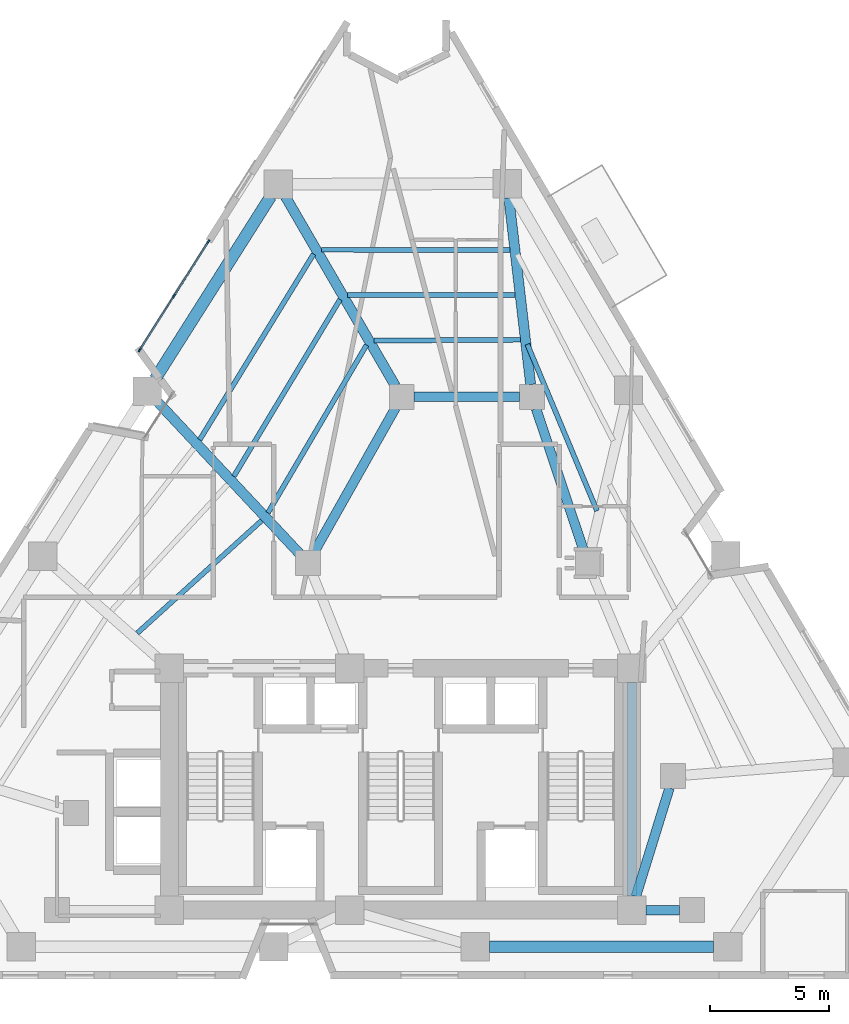
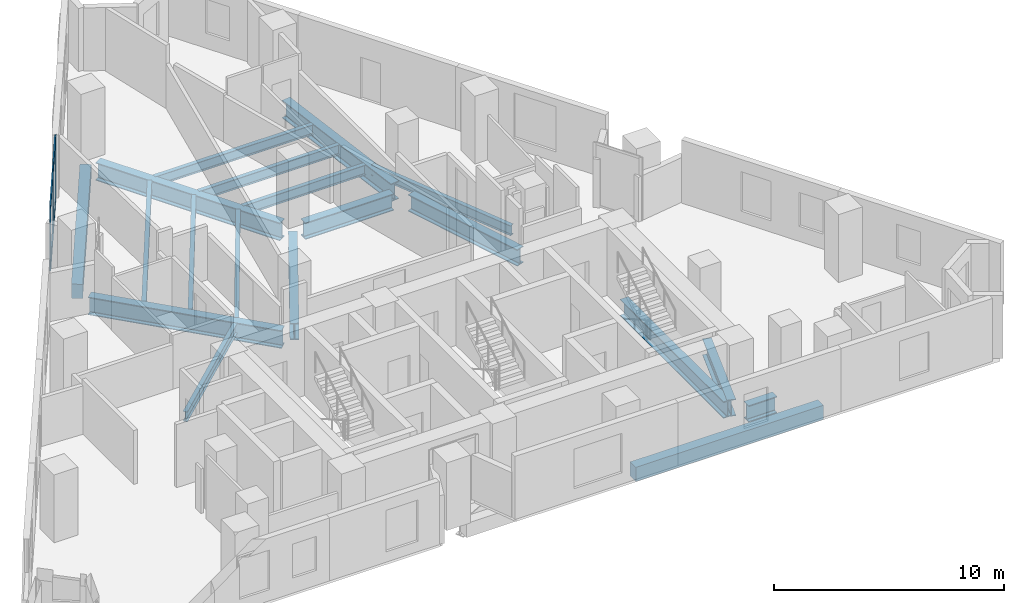
# One storey, part 3 of 11: 19 beams, 7 members, 1 element without a shape of its own.
"""IFC4 building model written with IfcOpenShell, lengths in metres."""

from ifc_helpers import new_model, si_unit, direction, frame, origin, origin_2d, place, context, subcontext, project, spatial, rectangle, i_section, extrude, material, layer, layer_set, material_profile, profile_set, type_object, element, aggregate, save


model = new_model("IFC4")

# Units and contexts
model_context = context("Model", 3, precision=1e-05, world=origin(), true_north=direction((0.0, 1.0)))
body_context = subcontext(model_context, "Body", "Model", "MODEL_VIEW")
ifc_project = project(units=[si_unit("LENGTHUNIT", "METRE"), si_unit("AREAUNIT", "SQUARE_METRE"), si_unit("VOLUMEUNIT", "CUBIC_METRE"), si_unit("PLANEANGLEUNIT", "RADIAN"), si_unit("MASSUNIT", "GRAM", prefix="KILO")], contexts=[model_context])

# Site, building, storey
site_placement = place(None, origin())
site = spatial("IfcSite", under=ifc_project, at=site_placement, CompositionType="ELEMENT")
building_placement = place(site_placement, origin())
building = spatial("IfcBuilding", under=site, at=building_placement, Name="Almagre Mirador Tower", CompositionType="ELEMENT")
storey_placement = place(building_placement, frame((0.0, 0.0, 124.800048828125)))
storey = spatial("IfcBuildingStorey", under=building, at=storey_placement, Name="L31", CompositionType="ELEMENT", Elevation=124.800048828125)

# Beams
ifc_material_1 = material(Name="Steel ASTM A992 Grade 50", Category="steel")
ifc_material_profile_1 = material_profile(ifc_material_1, i_section(OverallWidth=0.208984375, OverallDepth=0.532958984375, WebThickness=0.01025390625, FlangeThickness=0.015625, FilletRadius=0.01806640625, at=origin_2d()), Name="W21X62")
ifc_profile_set_1 = profile_set([ifc_material_profile_1], Name="Steel ASTM A992 Grade 50")
beam_type_1 = type_object("IfcBeamType", Name="BM-JST-W21X62", PredefinedType="JOIST", material=ifc_profile_set_1)
beam_1_placement = place(storey_placement, frame((45.589111328125, 21.390380859375, -0.5166015625), z_axis=(-0.385893914422, 0.922543162574, 0.0), x_axis=(-0.922543162574, -0.385893914422, 0.0)))
element("IfcBeam", 1, at=beam_1_placement, inside=storey, type_object=beam_type_1, Name="L31 secondary floor joist PC07-PC08.3", PredefinedType="JOIST", context=body_context, shape_type="SweptSolid", body=[
    extrude(i_section(OverallWidth=0.208984375, OverallDepth=0.532958984375, WebThickness=0.01025390625, FlangeThickness=0.015625, FilletRadius=0.01806640625, at=origin_2d()), origin(), (0.0, 0.0, 1.0), 7.617919921875),
])
beam_2_placement = place(storey_placement, frame((41.913330078125, 32.397216796875, -0.5166015625), z_axis=(-0.999998960599, 0.001441804747, 0.0), x_axis=(-0.001441804747, -0.999998960599, 0.0)))
element("IfcBeam", 2, at=beam_2_placement, inside=storey, type_object=beam_type_1, Name="L31 secondary floor joist PC08-PC09.1", PredefinedType="JOIST", context=body_context, shape_type="SweptSolid", body=[
    extrude(i_section(OverallWidth=0.208984375, OverallDepth=0.532958984375, WebThickness=0.01025390625, FlangeThickness=0.015625, FilletRadius=0.01806640625, at=origin_2d()), origin(), (0.0, 0.0, 1.0), 7.95849609375),
])
beam_3_placement = place(storey_placement, frame((42.134765625, 30.504638671875, -0.5166015625), z_axis=(-0.99999819421, -0.00190041466, 0.0), x_axis=(0.00190041466, -0.99999819421, 0.0)))
element("IfcBeam", 3, at=beam_3_placement, inside=storey, type_object=beam_type_1, Name="L31 secondary floor joist PC08-PC09.2", PredefinedType="JOIST", context=body_context, shape_type="SweptSolid", body=[
    extrude(i_section(OverallWidth=0.208984375, OverallDepth=0.532958984375, WebThickness=0.01025390625, FlangeThickness=0.015625, FilletRadius=0.01806640625, at=origin_2d()), origin(), (0.0, 0.0, 1.0), 7.065673828125),
])
beam_4_placement = place(storey_placement, frame((42.356201171875, 28.61181640625, -0.5166015625), z_axis=(-0.999980965144, -0.00617003641, 0.0), x_axis=(0.00617003641, -0.999980965144, 0.0)))
element("IfcBeam", 4, at=beam_4_placement, inside=storey, type_object=beam_type_1, Name="L31 secondary floor joist PC08-PC09.3", PredefinedType="JOIST", context=body_context, shape_type="SweptSolid", body=[
    extrude(i_section(OverallWidth=0.208984375, OverallDepth=0.532958984375, WebThickness=0.01025390625, FlangeThickness=0.015625, FilletRadius=0.01806640625, at=origin_2d()), origin(), (0.0, 0.0, 1.0), 6.172607421875),
])
beam_5_placement = place(storey_placement, frame((33.6328125, 32.228759765625, -0.5166015625), z_axis=(-0.522787398252, -0.852463099629, 0.0), x_axis=(0.852463099629, -0.522787398252, 0.0)))
element("IfcBeam", 5, at=beam_5_placement, inside=storey, type_object=beam_type_1, Name="L31 secondary floor joist PC09-PC10.1", PredefinedType="JOIST", context=body_context, shape_type="SweptSolid", body=[
    extrude(i_section(OverallWidth=0.208984375, OverallDepth=0.532958984375, WebThickness=0.01025390625, FlangeThickness=0.015625, FilletRadius=0.01806640625, at=origin_2d()), origin(), (0.0, 0.0, 1.0), 9.196044921875),
])
beam_6_placement = place(storey_placement, frame((34.748779296875, 30.309326171875, -0.5166015625), z_axis=(-0.515031881697, -0.857171021929, 0.0), x_axis=(0.857171021929, -0.515031881697, 0.0)))
element("IfcBeam", 6, at=beam_6_placement, inside=storey, type_object=beam_type_1, Name="L31 secondary floor joist PC09-PC10.2", PredefinedType="JOIST", context=body_context, shape_type="SweptSolid", body=[
    extrude(i_section(OverallWidth=0.208984375, OverallDepth=0.532958984375, WebThickness=0.01025390625, FlangeThickness=0.015625, FilletRadius=0.01806640625, at=origin_2d()), origin(), (0.0, 0.0, 1.0), 8.7041015625),
])
beam_7_placement = place(storey_placement, frame((35.864990234375, 28.389892578125, -0.5166015625), z_axis=(-0.506354843964, -0.862325212431, 0.0), x_axis=(0.862325212431, -0.506354843964, 0.0)))
element("IfcBeam", 7, at=beam_7_placement, inside=storey, type_object=beam_type_1, Name="L31 secondary floor joist PC09-PC10.3", PredefinedType="JOIST", context=body_context, shape_type="SweptSolid", body=[
    extrude(i_section(OverallWidth=0.208984375, OverallDepth=0.532958984375, WebThickness=0.01025390625, FlangeThickness=0.015625, FilletRadius=0.01806640625, at=origin_2d()), origin(), (0.0, 0.0, 1.0), 8.212890625),
])
beam_8_placement = place(storey_placement, frame((31.4423828125, 20.9833984375, -0.5166015625), z_axis=(-0.74150556393, -0.670946718199, 0.0), x_axis=(0.670946718199, -0.74150556393, 0.0)))
element("IfcBeam", 8, at=beam_8_placement, inside=storey, type_object=beam_type_1, Name="L31 secondary floor joist PC10-PC11.3", PredefinedType="JOIST", context=body_context, shape_type="SweptSolid", body=[
    extrude(i_section(OverallWidth=0.208984375, OverallDepth=0.532958984375, WebThickness=0.01025390625, FlangeThickness=0.015625, FilletRadius=0.01806640625, at=origin_2d()), origin(), (0.0, 0.0, 1.0), 7.082763671875),
])
ifc_material_2 = material(Name="Precast concrete C50/60", Category="concrete")
ifc_material_profile_2 = material_profile(ifc_material_2, rectangle(XDim=0.5, YDim=0.75, at=origin_2d()), Name="RC500X750")
ifc_profile_set_2 = profile_set([ifc_material_profile_2], Name="Precast concrete C50/60")
beam_type_2 = type_object("IfcBeamType", Name="BM-SPN-RC500X750", PredefinedType="SPANDREL", material=ifc_profile_set_2)
beam_9_placement = place(storey_placement, frame((41.055908203125, 3.0, -0.625), z_axis=(1.0, 0.0, 0.0), x_axis=(0.0, 1.0, 0.0)))
element("IfcBeam", 9, at=beam_9_placement, inside=storey, type_object=beam_type_2, Name="L31 perimeter spandrel beam PC03-PC04", PredefinedType="SPANDREL", context=body_context, shape_type="SweptSolid", body=[
    extrude(rectangle(XDim=0.5, YDim=0.75, at=origin_2d()), origin(), (0.0, 0.0, 1.0), 9.440185546875),
])
beam_10_placement = place(storey_placement, frame((31.821044921875, 34.658935546875, -0.625), z_axis=(-0.534869929659, -0.844934410677, 0.0), x_axis=(0.844934410677, -0.534869929659, 0.0)))
element("IfcBeam", 10, at=beam_10_placement, inside=storey, type_object=beam_type_2, Name="L31 perimeter spandrel beam PC09-PC10", PredefinedType="SPANDREL", context=body_context, shape_type="SweptSolid", body=[
    extrude(rectangle(XDim=0.5, YDim=0.75, at=origin_2d()), origin(), (0.0, 0.0, 1.0), 9.120361328125),
])
ifc_material_3 = material(Name="Steel ASTM A992 Grade 50", Category="steel")
ifc_material_profile_3 = material_profile(ifc_material_3, i_section(OverallWidth=0.404052734375, OverallDepth=0.884033203125, WebThickness=0.0244140625, FlangeThickness=0.0439453125, FilletRadius=0.02490234375, at=origin_2d()), Name="W33X291")
ifc_profile_set_3 = profile_set([ifc_material_profile_3], Name="Steel ASTM A992 Grade 50")
beam_type_3 = type_object("IfcBeamType", Name="BM-STL-W33X291", PredefinedType="BEAM", material=ifc_profile_set_3)
beam_11_placement = place(storey_placement, frame((37.875, 26.199951171875, -0.692138671875), z_axis=(1.0, 0.0, 0.0), x_axis=(0.0, 1.0, 0.0)))
element("IfcBeam", 11, at=beam_11_placement, inside=storey, type_object=beam_type_3, Name="L31 core tie girder MC7-MC6", PredefinedType="BEAM", context=body_context, shape_type="SweptSolid", body=[
    extrude(i_section(OverallWidth=0.404052734375, OverallDepth=0.884033203125, WebThickness=0.0244140625, FlangeThickness=0.0439453125, FilletRadius=0.02490234375, at=origin_2d()), origin(), (0.0, 0.0, 1.0), 4.449951171875),
])
beam_12_placement = place(storey_placement, frame((47.050048828125, 5.14990234375, -0.692138671875), z_axis=(0.0, 1.0, 0.0), x_axis=(-1.0, 0.0, 0.0)))
element("IfcBeam", 12, at=beam_12_placement, inside=storey, type_object=beam_type_3, Name="L31 core tie girder CC3-CC6", PredefinedType="BEAM", context=body_context, shape_type="SweptSolid", body=[
    extrude(i_section(OverallWidth=0.404052734375, OverallDepth=0.884033203125, WebThickness=0.0244140625, FlangeThickness=0.0439453125, FilletRadius=0.02490234375, at=origin_2d()), origin(), (0.0, 0.0, 1.0), 9.0),
])
beam_13_placement = place(storey_placement, frame((49.074951171875, 4.550048828125, -0.692138671875), z_axis=(-1.0, 0.0, 0.0), x_axis=(0.0, -1.0, 0.0)))
element("IfcBeam", 13, at=beam_13_placement, inside=storey, type_object=beam_type_3, Name="L31 core tie girder MC2-CC3", PredefinedType="BEAM", context=body_context, shape_type="SweptSolid", body=[
    extrude(i_section(OverallWidth=0.404052734375, OverallDepth=0.884033203125, WebThickness=0.0244140625, FlangeThickness=0.0439453125, FilletRadius=0.02490234375, at=origin_2d()), origin(), (0.0, 0.0, 1.0), 1.425048828125),
])
beam_14_placement = place(storey_placement, frame((48.644775390625, 9.698486328125, -0.692138671875), z_axis=(-0.295879743348, -0.955225197258, 0.0), x_axis=(0.955225197258, -0.295879743348, 0.0)))
element("IfcBeam", 14, at=beam_14_placement, inside=storey, type_object=beam_type_3, Name="L31 core tie girder MC3-CC3", PredefinedType="BEAM", context=body_context, shape_type="SweptSolid", body=[
    extrude(i_section(OverallWidth=0.404052734375, OverallDepth=0.884033203125, WebThickness=0.0244140625, FlangeThickness=0.0439453125, FilletRadius=0.02490234375, at=origin_2d()), origin(), (0.0, 0.0, 1.0), 4.789794921875),
])
beam_15_placement = place(storey_placement, frame((43.01708984375, 25.702392578125, -0.692138671875), z_axis=(0.318262189587, -0.948002731367, 0.0), x_axis=(0.948002731367, 0.318262189587, 0.0)))
element("IfcBeam", 15, at=beam_15_placement, inside=storey, type_object=beam_type_3, Name="L31 core tie girder MC6-MC5", PredefinedType="BEAM", context=body_context, shape_type="SweptSolid", body=[
    extrude(i_section(OverallWidth=0.404052734375, OverallDepth=0.884033203125, WebThickness=0.0244140625, FlangeThickness=0.0439453125, FilletRadius=0.02490234375, at=origin_2d()), origin(), (0.0, 0.0, 1.0), 6.333984375),
])
beam_16_placement = place(storey_placement, frame((37.092041015625, 25.742919921875, -0.692138671875), z_axis=(-0.491443510044, -0.870909453638, 0.0), x_axis=(0.870909453638, -0.491443510044, 0.0)))
element("IfcBeam", 16, at=beam_16_placement, inside=storey, type_object=beam_type_3, Name="L31 core tie girder MC7-MC8", PredefinedType="BEAM", context=body_context, shape_type="SweptSolid", body=[
    extrude(i_section(OverallWidth=0.404052734375, OverallDepth=0.884033203125, WebThickness=0.0244140625, FlangeThickness=0.0439453125, FilletRadius=0.02490234375, at=origin_2d()), origin(), (0.0, 0.0, 1.0), 6.98779296875),
])
ifc_material_4 = material(Name="Steel ASTM A992 Grade 50", Category="steel")
ifc_material_profile_4 = material_profile(ifc_material_4, i_section(OverallWidth=0.423095703125, OverallDepth=0.947998046875, WebThickness=0.02392578125, FlangeThickness=0.042724609375, FilletRadius=0.028076171875, at=origin_2d()), Name="W36X302")
ifc_profile_set_4 = profile_set([ifc_material_profile_4], Name="Steel ASTM A992 Grade 50")
beam_type_4 = type_object("IfcBeamType", Name="BM-STL-W36X302", PredefinedType="BEAM", material=ifc_profile_set_4)
beam_17_placement = place(storey_placement, frame((41.86669921875, 34.60400390625, -0.72412109375), z_axis=(0.116220098543, -0.993223483761, 0.0), x_axis=(0.993223483761, 0.116220098543, 0.0)))
element("IfcBeam", 17, at=beam_17_placement, inside=storey, type_object=beam_type_4, Name="L31 radial floor girder PC08-MC6", PredefinedType="BEAM", context=body_context, shape_type="SweptSolid", body=[
    extrude(i_section(OverallWidth=0.423095703125, OverallDepth=0.947998046875, WebThickness=0.02392578125, FlangeThickness=0.042724609375, FilletRadius=0.028076171875, at=origin_2d()), origin(), (0.0, 0.0, 1.0), 7.936279296875),
])
beam_18_placement = place(storey_placement, frame((32.443359375, 34.647216796875, -0.72412109375), z_axis=(0.502267404593, -0.864712353493, 0.0), x_axis=(0.864712353493, 0.502267404593, 0.0)))
element("IfcBeam", 18, at=beam_18_placement, inside=storey, type_object=beam_type_4, Name="L31 radial floor girder PC09-MC7", PredefinedType="BEAM", context=body_context, shape_type="SweptSolid", body=[
    extrude(i_section(OverallWidth=0.423095703125, OverallDepth=0.947998046875, WebThickness=0.02392578125, FlangeThickness=0.042724609375, FilletRadius=0.028076171875, at=origin_2d()), origin(), (0.0, 0.0, 1.0), 9.24365234375),
])
beam_19_placement = place(storey_placement, frame((27.031982421875, 26.0078125, -0.72412109375), z_axis=(0.683137553651, -0.73028972524, 0.0), x_axis=(0.73028972524, 0.683137553651, 0.0)))
element("IfcBeam", 19, at=beam_19_placement, inside=storey, type_object=beam_type_4, Name="L31 radial floor girder PC10-MC8", PredefinedType="BEAM", context=body_context, shape_type="SweptSolid", body=[
    extrude(i_section(OverallWidth=0.423095703125, OverallDepth=0.947998046875, WebThickness=0.02392578125, FlangeThickness=0.042724609375, FilletRadius=0.028076171875, at=origin_2d()), origin(), (0.0, 0.0, 1.0), 8.796875),
])

# Curtain wall, members
ifc_material_5 = material(Name="Black anodized aluminium", Category="aluminium")
ifc_layer = layer(ifc_material_5, 0.199951171875)
ifc_layer_set = layer_set([ifc_layer], Name="Black anodized aluminium")
curtain_wall_type = type_object("IfcCurtainWallType", Name="CW-RES-H-SYS", PredefinedType="NOTDEFINED", material=ifc_layer_set)
curtain_wall_placement = place(storey_placement, origin())
curtain_wall = element("IfcCurtainWall", 20, at=curtain_wall_placement, inside=storey, type_object=curtain_wall_type, Name="L31 curtain wall run 02", PredefinedType="NOTDEFINED")
ifc_material_6 = material(Name="Black anodized aluminium", Category="aluminium")
ifc_material_profile_5 = material_profile(ifc_material_6, rectangle(XDim=0.06494140625, YDim=0.179931640625, at=origin_2d()), Name="CWM65X180")
ifc_profile_set_5 = profile_set([ifc_material_profile_5], Name="Black anodized aluminium")
member_type_1 = type_object("IfcMemberType", Name="MBR-CWM65X180", PredefinedType="MULLION", material=ifc_profile_set_5)
member_1_placement = place(storey_placement, frame((26.29931640625, 28.180419921875, 0.0), z_axis=(0.0, 0.0, 1.0), x_axis=(-0.844914632317, 0.534901172271, 0.0)))
member_1 = element("IfcMember", 21, at=member_1_placement, type_object=member_type_1, Name="CW-3 mullion 1", PredefinedType="MULLION", context=body_context, shape_type="SweptSolid", body=[
    extrude(rectangle(XDim=0.06494140625, YDim=0.179931640625, at=origin_2d()), origin(), (0.0, 0.0, 1.0), 3.349853515625),
])
member_2_placement = place(storey_placement, frame((27.7451171875, 30.464111328125, 0.0), z_axis=(0.0, 0.0, 1.0), x_axis=(-0.844914632317, 0.534901172271, 0.0)))
member_2 = element("IfcMember", 22, at=member_2_placement, type_object=member_type_1, Name="CW-3 mullion 2", PredefinedType="MULLION", context=body_context, shape_type="SweptSolid", body=[
    extrude(rectangle(XDim=0.06494140625, YDim=0.179931640625, at=origin_2d()), origin(), (0.0, 0.0, 1.0), 3.349853515625),
])
member_3_placement = place(storey_placement, frame((29.19091796875, 32.747802734375, 0.0), z_axis=(0.0, 0.0, 1.0), x_axis=(-0.844914632317, 0.534901172271, 0.0)))
member_3 = element("IfcMember", 23, at=member_3_placement, type_object=member_type_1, Name="CW-3 mullion 3", PredefinedType="MULLION", context=body_context, shape_type="SweptSolid", body=[
    extrude(rectangle(XDim=0.06494140625, YDim=0.179931640625, at=origin_2d()), origin(), (0.0, 0.0, 1.0), 3.349853515625),
])
ifc_material_7 = material(Name="Black anodized aluminium", Category="aluminium")
ifc_material_profile_6 = material_profile(ifc_material_7, rectangle(XDim=0.06494140625, YDim=0.14990234375, at=origin_2d()), Name="CWT65X150")
ifc_profile_set_6 = profile_set([ifc_material_profile_6], Name="Black anodized aluminium")
member_type_2 = type_object("IfcMemberType", Name="MBR-CWT65X150", PredefinedType="USERDEFINED", material=ifc_profile_set_6)
member_4_placement = place(storey_placement, frame((26.316650390625, 28.2080078125, 0.032470703125), z_axis=(0.534939783272, 0.844890187109, 0.0), x_axis=(-0.844890187109, 0.534939783272, 0.0)))
member_4 = element("IfcMember", 24, at=member_4_placement, type_object=member_type_2, Name="CW-3 transom 1.1", ObjectType="TRANSOM", PredefinedType="USERDEFINED", context=body_context, shape_type="SweptSolid", body=[
    extrude(rectangle(XDim=0.06494140625, YDim=0.14990234375, at=origin_2d()), origin(), (0.0, 0.0, 1.0), 2.637939453125),
])
member_5_placement = place(storey_placement, frame((26.316650390625, 28.2080078125, 3.3173828125), z_axis=(0.534939783272, 0.844890187109, 0.0), x_axis=(-0.844890187109, 0.534939783272, 0.0)))
member_5 = element("IfcMember", 25, at=member_5_placement, type_object=member_type_2, Name="CW-3 transom 1.2", ObjectType="TRANSOM", PredefinedType="USERDEFINED", context=body_context, shape_type="SweptSolid", body=[
    extrude(rectangle(XDim=0.06494140625, YDim=0.14990234375, at=origin_2d()), origin(), (0.0, 0.0, 1.0), 2.637939453125),
])
member_6_placement = place(storey_placement, frame((27.762451171875, 30.49169921875, 0.032470703125), z_axis=(0.534939783272, 0.844890187109, 0.0), x_axis=(-0.844890187109, 0.534939783272, 0.0)))
member_6 = element("IfcMember", 26, at=member_6_placement, type_object=member_type_2, Name="CW-3 transom 2.1", ObjectType="TRANSOM", PredefinedType="USERDEFINED", context=body_context, shape_type="SweptSolid", body=[
    extrude(rectangle(XDim=0.06494140625, YDim=0.14990234375, at=origin_2d()), origin(), (0.0, 0.0, 1.0), 2.637939453125),
])
member_7_placement = place(storey_placement, frame((27.762451171875, 30.49169921875, 3.3173828125), z_axis=(0.534939783272, 0.844890187109, 0.0), x_axis=(-0.844890187109, 0.534939783272, 0.0)))
member_7 = element("IfcMember", 27, at=member_7_placement, type_object=member_type_2, Name="CW-3 transom 2.2", ObjectType="TRANSOM", PredefinedType="USERDEFINED", context=body_context, shape_type="SweptSolid", body=[
    extrude(rectangle(XDim=0.06494140625, YDim=0.14990234375, at=origin_2d()), origin(), (0.0, 0.0, 1.0), 2.637939453125),
])
aggregate(curtain_wall, [member_1, member_2, member_3, member_4, member_5, member_6, member_7])

save(model, "model.ifc")
